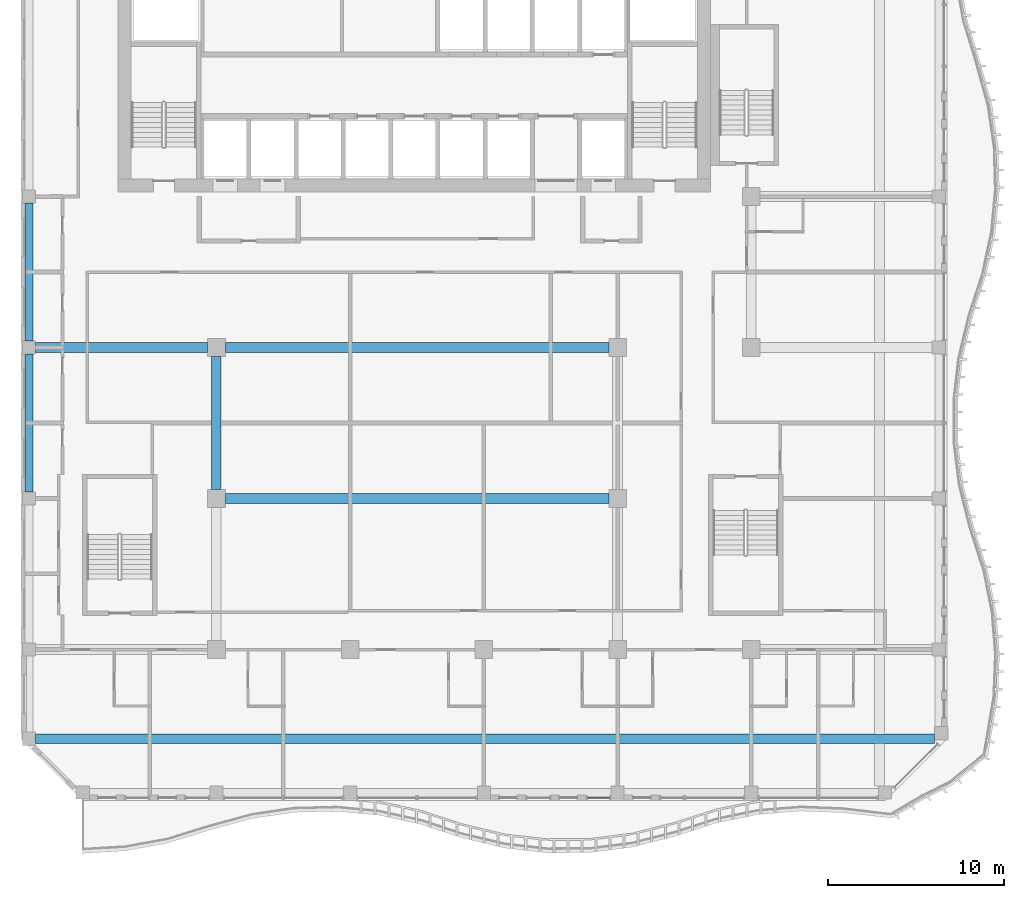
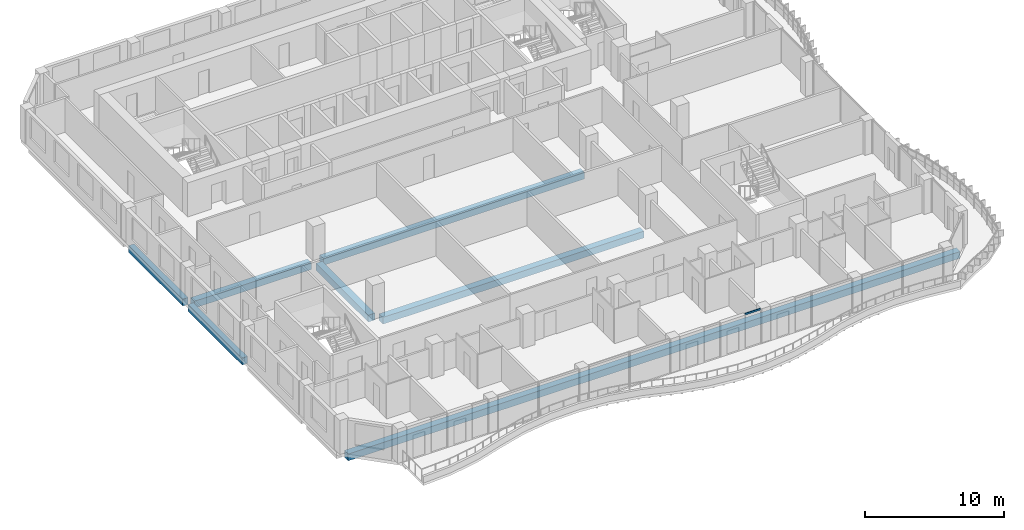
# One storey, part 3 of 22: 7 beams, 1 member, 1 element without a shape of its own.
"""IFC4 building model written with IfcOpenShell, lengths in metres."""

from ifc_helpers import new_model, si_unit, direction, frame, origin, origin_2d, place, context, subcontext, project, spatial, rectangle, extrude, source, transform, mapped, material, material_profile, profile_set, type_object, element, aggregate, save


model = new_model("IFC4")

# Units and contexts
model_context = context("Model", 3, precision=1e-05, world=origin(), true_north=direction((0.0, 1.0)))
body_context = subcontext(model_context, "Body", "Model", "MODEL_VIEW")
ifc_project = project(units=[si_unit("LENGTHUNIT", "METRE"), si_unit("AREAUNIT", "SQUARE_METRE"), si_unit("VOLUMEUNIT", "CUBIC_METRE"), si_unit("PLANEANGLEUNIT", "RADIAN"), si_unit("MASSUNIT", "GRAM", prefix="KILO")], contexts=[model_context])

# Site, building, storey
site_placement = place(None, origin())
site = spatial("IfcSite", under=ifc_project, at=site_placement, CompositionType="ELEMENT")
building_placement = place(site_placement, origin())
building = spatial("IfcBuilding", under=site, at=building_placement, Name="Kilnfold Tower and Market Hall", CompositionType="ELEMENT")
storey_placement = place(building_placement, frame((0.0, 0.0, 220.300048828125)))
storey = spatial("IfcBuildingStorey", under=building, at=storey_placement, Name="L54", CompositionType="ELEMENT", Elevation=220.300048828125)

# Beams
ifc_material_1 = material(Name="Concrete C45", Category="concrete")
ifc_material_profile_1 = material_profile(ifc_material_1, rectangle(XDim=0.550048828125, YDim=0.60009765625, at=origin_2d()), Name="RC 550x600")
ifc_profile_set_1 = profile_set([ifc_material_profile_1], Name="Concrete C45")
beam_type_1 = type_object("IfcBeamType", Name="BEAM 550X600 C45", PredefinedType="BEAM", material=ifc_profile_set_1)
shared_shape_1 = source(origin(), body_context, "Body", "SweptSolid", [
    extrude(rectangle(XDim=0.550048828125, YDim=0.60009765625, at=origin_2d()), origin(), (0.0, 0.0, 1.0), 21.75),
])
for number, where, z_axis, x_axis, name in (
    (1, (-9.666748046875, -9.1201171875, -0.580078125), (1.0, 0.0, 0.0), (0.0, 1.0, 0.0), "Beam BB600-B6.48"),
    (2, (-9.666748046875, -0.56005859375, -0.580078125), (1.0, 0.0, 0.0), (0.0, 1.0, 0.0), "Beam BB600-B6.50"),
):
    element("IfcBeam", number, at=place(storey_placement, frame(where, z_axis=z_axis, x_axis=x_axis)), inside=storey, type_object=beam_type_1, Name=name, PredefinedType="BEAM", context=body_context, shape_type="MappedRepresentation", body=[
        mapped(shared_shape_1, transform((0.0, 0.0, 0.0))),
    ])
shared_shape_2 = source(origin(), body_context, "Body", "SweptSolid", [
    extrude(rectangle(XDim=0.550048828125, YDim=0.60009765625, at=origin_2d()), origin(), (0.0, 0.0, 1.0), 50.98193359375),
])
beam_1_placement = place(storey_placement, frame((-20.425048828125, -22.75, -0.580078125), z_axis=(1.0, 0.0, 0.0), x_axis=(0.0, 1.0, 0.0)))
element("IfcBeam", 3, at=beam_1_placement, inside=storey, type_object=beam_type_1, Name="Beam BB600-B6.45", PredefinedType="BEAM", context=body_context, shape_type="MappedRepresentation", body=[
    mapped(shared_shape_2, transform((0.0, 0.0, 0.0))),
])
shared_shape_3 = source(origin(), body_context, "Body", "SweptSolid", [
    extrude(rectangle(XDim=0.550048828125, YDim=0.60009765625, at=origin_2d()), origin(), (0.0, 0.0, 1.0), 9.75830078125),
])
beam_2_placement = place(storey_placement, frame((-20.425048828125, -0.56005859375, -0.580078125), z_axis=(1.0, 0.0, 0.0), x_axis=(0.0, 1.0, 0.0)))
element("IfcBeam", 4, at=beam_2_placement, inside=storey, type_object=beam_type_1, Name="Beam BB600-B6.49", PredefinedType="BEAM", context=body_context, shape_type="MappedRepresentation", body=[
    mapped(shared_shape_3, transform((0.0, 0.0, 0.0))),
])
ifc_material_2 = material(Name="Concrete C45", Category="concrete")
ifc_material_profile_2 = material_profile(ifc_material_2, rectangle(XDim=0.449951171875, YDim=0.60009765625, at=origin_2d()), Name="RC 450x600")
ifc_profile_set_2 = profile_set([ifc_material_profile_2], Name="Concrete C45")
beam_type_2 = type_object("IfcBeamType", Name="EDGE BEAM 450X600 C45", PredefinedType="BEAM", material=ifc_profile_set_2)
shared_shape_4 = source(origin(), body_context, "Body", "SweptSolid", [
    extrude(rectangle(XDim=0.449951171875, YDim=0.60009765625, at=origin_2d()), origin(), (0.0, 0.0, 1.0), 7.8125),
])
for number, where, z_axis, x_axis, name in (
    (5, (-20.800048828125, -8.75, -0.580078125), (0.0, 1.0, 0.0), (-1.0, 0.0, 0.0), "Beam EB600-B6.62"),
    (6, (-20.800048828125, -0.1875, -0.580078125), (0.0, 1.0, 0.0), (-1.0, 0.0, 0.0), "Beam EB600-B6.63"),
):
    element("IfcBeam", number, at=place(storey_placement, frame(where, z_axis=z_axis, x_axis=x_axis)), inside=storey, type_object=beam_type_2, Name=name, PredefinedType="BEAM", context=body_context, shape_type="MappedRepresentation", body=[
        mapped(shared_shape_4, transform((0.0, 0.0, 0.0))),
    ])
shared_shape_5 = source(origin(), body_context, "Body", "SweptSolid", [
    extrude(rectangle(XDim=0.550048828125, YDim=0.60009765625, at=origin_2d()), origin(), (0.0, 0.0, 1.0), 7.5625),
])
beam_3_placement = place(storey_placement, frame((-10.169921875, -8.625, -0.580078125), z_axis=(0.0, 1.0, 0.0), x_axis=(-1.0, 0.0, 0.0)))
element("IfcBeam", 7, at=beam_3_placement, inside=storey, type_object=beam_type_1, Name="Beam BB600-B6.65", PredefinedType="BEAM", context=body_context, shape_type="MappedRepresentation", body=[
    mapped(shared_shape_5, transform((0.0, 0.0, 0.0))),
])

# Curtain wall, member
ifc_material_3 = material(Name="Aluminium and double glazing", Category="aluminium")
curtain_wall_type = type_object("IfcCurtainWallType", Name="CW GARDEN HOTEL WINTER GARDEN", PredefinedType="NOTDEFINED", material=ifc_material_3)
curtain_wall_placement = place(storey_placement, origin())
curtain_wall = element("IfcCurtainWall", 8, at=curtain_wall_placement, inside=storey, type_object=curtain_wall_type, Name="Curtain wall CW5 L54 S", PredefinedType="NOTDEFINED")
ifc_material_4 = material(Name="Aluminium", Category="aluminium")
ifc_material_profile_3 = material_profile(ifc_material_4, rectangle(XDim=0.06494140625, YDim=0.14990234375, at=origin_2d()), Name="TRANSOM 65x150")
ifc_profile_set_3 = profile_set([ifc_material_profile_3], Name="Aluminium")
member_type = type_object("IfcMemberType", Name="TRANSOM 65X150", PredefinedType="USERDEFINED", material=ifc_profile_set_3)
shared_shape_6 = source(origin(), body_context, "Body", "SweptSolid", [
    extrude(rectangle(XDim=0.06494140625, YDim=0.14990234375, at=origin_2d()), origin(), (0.0, 0.0, 1.0), 1.28662109375),
])
member_placement = place(storey_placement, frame((10.856689453125, -26.10009765625, 2.967529296875), z_axis=(1.0, 0.0, 0.0), x_axis=(0.0, 1.0, 0.0)))
member = element("IfcMember", 9, at=member_placement, type_object=member_type, Name="CW5 transom 1.2", ObjectType="TRANSOM", PredefinedType="USERDEFINED", context=body_context, shape_type="MappedRepresentation", body=[
    mapped(shared_shape_6, transform((0.0, 0.0, 0.0))),
])
aggregate(curtain_wall, [member])

save(model, "model.ifc")
